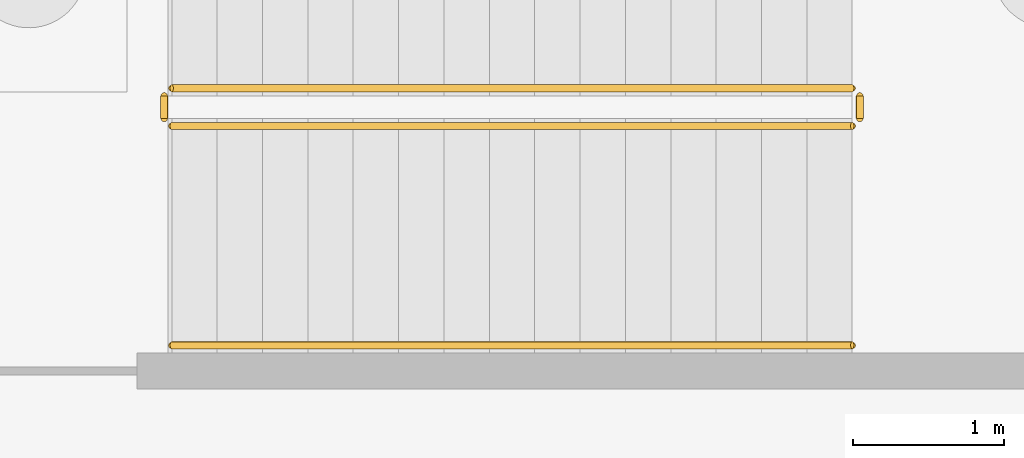
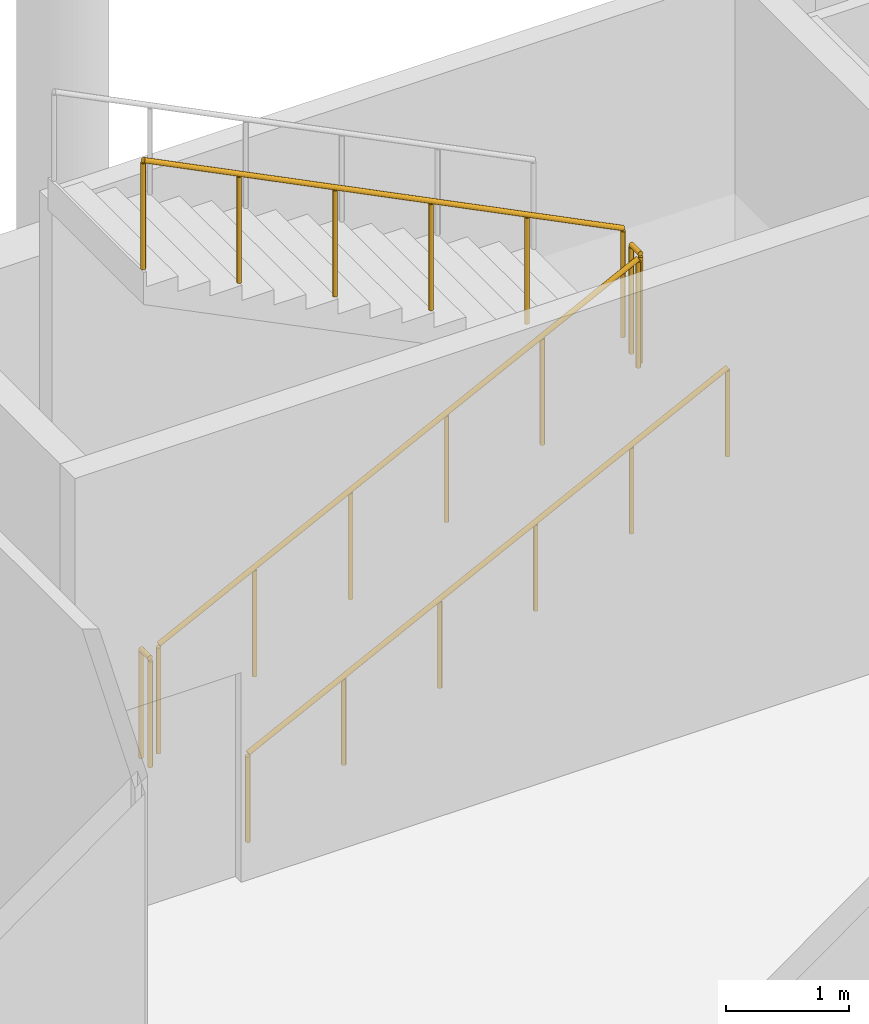
# One storey, part 106 of 112: 5 railings.
"""IFC4 building model written with IfcOpenShell, lengths in metres."""

from ifc_helpers import new_model, si_unit, direction, frame, origin, origin_2d, place, context, subcontext, project, spatial, circle, extrude, material, type_object, element, save


model = new_model("IFC4")

# Units and contexts
model_context = context("Model", 3, precision=1e-05, world=origin(), true_north=direction((0.0, 1.0)))
body_context = subcontext(model_context, "Body", "Model", "MODEL_VIEW")
ifc_project = project(units=[si_unit("LENGTHUNIT", "METRE"), si_unit("AREAUNIT", "SQUARE_METRE"), si_unit("VOLUMEUNIT", "CUBIC_METRE"), si_unit("PLANEANGLEUNIT", "RADIAN"), si_unit("MASSUNIT", "GRAM", prefix="KILO")], contexts=[model_context])

# Site, building, storey
site_placement = place(None, origin())
site = spatial("IfcSite", under=ifc_project, at=site_placement, CompositionType="ELEMENT")
building_placement = place(site_placement, origin())
building = spatial("IfcBuilding", under=site, at=building_placement, Name="Tharagai Park Tramway Depot", CompositionType="ELEMENT")
storey_placement = place(building_placement, origin())
storey = spatial("IfcBuildingStorey", under=building, at=storey_placement, Name="L00", CompositionType="ELEMENT", Elevation=0.0)

# Railings
ifc_material = material(Name="Galvanised steel", Category="steel")
railing_type_1 = type_object("IfcRailingType", Name="HR-02", PredefinedType="GUARDRAIL", material=ifc_material)
railing_1_placement = place(storey_placement, frame((182.070068359375, 24.85009765625, 0.14990234375)))
element("IfcRailing", 1, at=railing_1_placement, inside=storey, type_object=railing_type_1, Name="L00 ST-07 stair guard 1", PredefinedType="GUARDRAIL", context=body_context, shape_type="SweptSolid", body=[
    extrude(circle(Radius=0.02392578125, at=origin_2d()), frame((0.0, 0.0, 1.076171875), z_axis=(0.894427191, 0.0, 0.4472135955), x_axis=(0.0, 1.0, 0.0)), (0.0, 0.0, 1.0), 5.03125),
    extrude(circle(Radius=0.02099609375, at=origin_2d()), origin(), (0.0, 0.0, 1.0), 1.052001953125),
    extrude(circle(Radius=0.02099609375, at=origin_2d()), frame((0.89990234375, 0.0, 0.449951171875)), (0.0, 0.0, 1.0), 1.052001953125),
    extrude(circle(Radius=0.02099609375, at=origin_2d()), frame((1.800048828125, 0.0, 0.89990234375)), (0.0, 0.0, 1.0), 1.052001953125),
    extrude(circle(Radius=0.02099609375, at=origin_2d()), frame((2.699951171875, 0.0, 1.35009765625)), (0.0, 0.0, 1.0), 1.052001953125),
    extrude(circle(Radius=0.02099609375, at=origin_2d()), frame((3.60009765625, 0.0, 1.800048828125)), (0.0, 0.0, 1.0), 1.052001953125),
    extrude(circle(Radius=0.02099609375, at=origin_2d()), frame((4.5, 0.0, 2.25)), (0.0, 0.0, 1.0), 1.052001953125),
])
railing_2_placement = place(storey_placement, frame((186.6201171875, 24.89990234375, 2.39990234375)))
element("IfcRailing", 2, at=railing_2_placement, inside=storey, type_object=railing_type_1, Name="L00 ST-07 stair guard 2", PredefinedType="GUARDRAIL", context=body_context, shape_type="SweptSolid", body=[
    extrude(circle(Radius=0.02392578125, at=origin_2d()), frame((0.0, 0.0, 1.076171875), z_axis=(0.0, 1.0, 0.0), x_axis=(-1.0, 0.0, 0.0)), (0.0, 0.0, 1.0), 0.150146484375),
    extrude(circle(Radius=0.02099609375, at=origin_2d()), origin(), (0.0, 0.0, 1.0), 1.052001953125),
    extrude(circle(Radius=0.02099609375, at=origin_2d()), frame((0.0, 0.150146484375, 0.0)), (0.0, 0.0, 1.0), 1.052001953125),
])
railing_3_placement = place(storey_placement, frame((186.570068359375, 25.10009765625, 2.550048828125)))
element("IfcRailing", 3, at=railing_3_placement, inside=storey, type_object=railing_type_1, Name="L00 ST-07 stair guard 3", PredefinedType="GUARDRAIL", context=body_context, shape_type="SweptSolid", body=[
    extrude(circle(Radius=0.02392578125, at=origin_2d()), frame((0.0, 0.0, 1.076171875), z_axis=(-0.894427191, 0.0, 0.4472135955), x_axis=(0.0, -1.0, 0.0)), (0.0, 0.0, 1.0), 5.03125),
    extrude(circle(Radius=0.02099609375, at=origin_2d()), origin(), (0.0, 0.0, 1.0), 1.052001953125),
    extrude(circle(Radius=0.02099609375, at=origin_2d()), frame((-0.89990234375, 0.0, 0.449951171875)), (0.0, 0.0, 1.0), 1.052001953125),
    extrude(circle(Radius=0.02099609375, at=origin_2d()), frame((-1.800048828125, 0.0, 0.89990234375)), (0.0, 0.0, 1.0), 1.052001953125),
    extrude(circle(Radius=0.02099609375, at=origin_2d()), frame((-2.699951171875, 0.0, 1.35009765625)), (0.0, 0.0, 1.0), 1.052001953125),
    extrude(circle(Radius=0.02099609375, at=origin_2d()), frame((-3.60009765625, 0.0, 1.800048828125)), (0.0, 0.0, 1.0), 1.052001953125),
    extrude(circle(Radius=0.02099609375, at=origin_2d()), frame((-4.5, 0.0, 2.25)), (0.0, 0.0, 1.0), 1.052001953125),
])
railing_4_placement = place(storey_placement, frame((182.02001953125, 24.89990234375, 0.0)))
element("IfcRailing", 4, at=railing_4_placement, inside=storey, type_object=railing_type_1, Name="L00 ST-07 stair guard 4", PredefinedType="GUARDRAIL", context=body_context, shape_type="SweptSolid", body=[
    extrude(circle(Radius=0.02392578125, at=origin_2d()), frame((0.0, 0.0, 1.076171875), z_axis=(0.0, 1.0, 0.0), x_axis=(-1.0, 0.0, 0.0)), (0.0, 0.0, 1.0), 0.150146484375),
    extrude(circle(Radius=0.02099609375, at=origin_2d()), origin(), (0.0, 0.0, 1.0), 1.052001953125),
    extrude(circle(Radius=0.02099609375, at=origin_2d()), frame((0.0, 0.150146484375, 0.0)), (0.0, 0.0, 1.0), 1.052001953125),
])
railing_type_2 = type_object("IfcRailingType", Name="HR-03", PredefinedType="HANDRAIL", material=ifc_material)
railing_5_placement = place(storey_placement, frame((182.070068359375, 23.39990234375, 0.14990234375)))
element("IfcRailing", 5, at=railing_5_placement, inside=storey, type_object=railing_type_2, Name="L00 ST-07 stair handrail 1", PredefinedType="HANDRAIL", context=body_context, shape_type="SweptSolid", body=[
    extrude(circle(Radius=0.02392578125, at=origin_2d()), frame((0.0, 0.0, 0.8759765625), z_axis=(0.894427191, 0.0, 0.4472135955), x_axis=(0.0, 1.0, 0.0)), (0.0, 0.0, 1.0), 5.03125),
    extrude(circle(Radius=0.02099609375, at=origin_2d()), origin(), (0.0, 0.0, 1.0), 0.851806640625),
    extrude(circle(Radius=0.02099609375, at=origin_2d()), frame((0.89990234375, 0.0, 0.449951171875)), (0.0, 0.0, 1.0), 0.851806640625),
    extrude(circle(Radius=0.02099609375, at=origin_2d()), frame((1.800048828125, 0.0, 0.89990234375)), (0.0, 0.0, 1.0), 0.851806640625),
    extrude(circle(Radius=0.02099609375, at=origin_2d()), frame((2.699951171875, 0.0, 1.35009765625)), (0.0, 0.0, 1.0), 0.851806640625),
    extrude(circle(Radius=0.02099609375, at=origin_2d()), frame((3.60009765625, 0.0, 1.800048828125)), (0.0, 0.0, 1.0), 0.851806640625),
    extrude(circle(Radius=0.02099609375, at=origin_2d()), frame((4.5, 0.0, 2.25)), (0.0, 0.0, 1.0), 0.851806640625),
])

save(model, "model.ifc")
